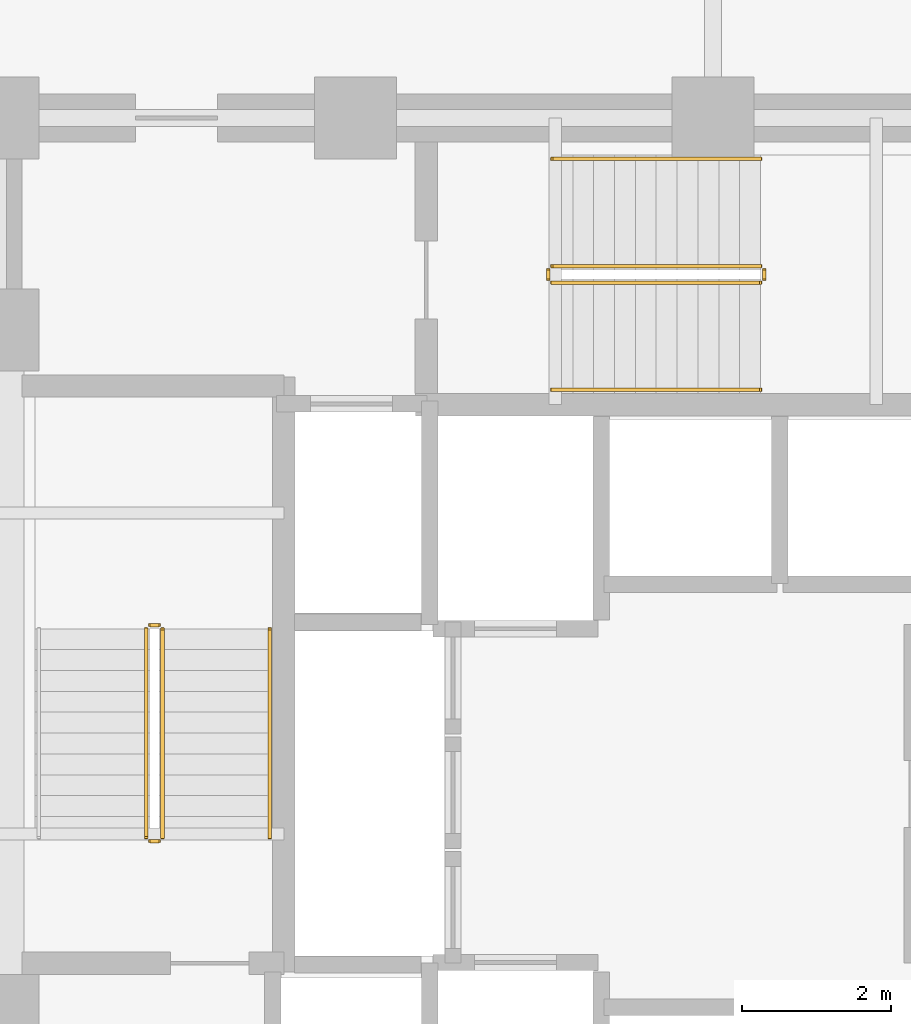
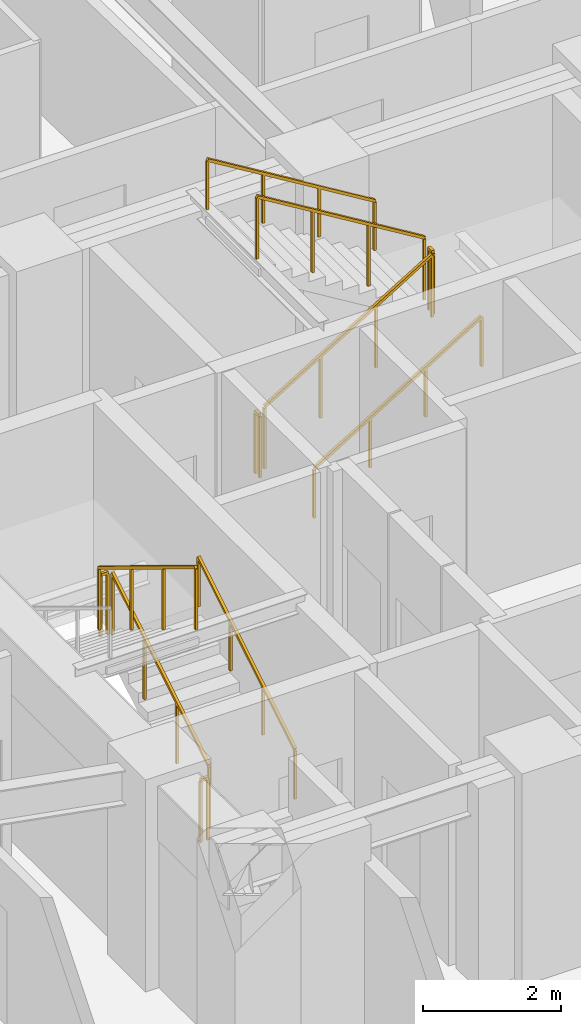
# One storey, part 13 of 16: 11 railings.
"""IFC4 building model written with IfcOpenShell, lengths in metres."""

import ifcopenshell
import ifcopenshell.guid

model = None  # the IFC model being written
_history = None  # IfcOwnerHistory: only IFC2X3 demands one
_inside = {}  # id of a spatial element -> (the spatial element, [elements in it])
_under = {}  # id of a project, library or spatial element -> (it, [spatial elements below it])
_declared = {}  # id of a project -> (the project, [libraries it declares])
_typed = {}  # id of a type object -> (the type object, [elements of that type])
_made_of = {}  # id of a material, layer set ... -> (it, [elements and type objects made of it])


def new_model(schema):
    """Start an empty IFC model of exactly this schema.

    Asked for "IFC4X3", IfcOpenShell would pick the latest addendum, in which some entities
    have other attributes; the version numbers below select the first issue.
    IFC2X3 requires an IfcOwnerHistory on every rooted entity: one is made here for all.
    """
    global model, _history
    if schema == "IFC4X3":
        model = ifcopenshell.file(schema_version=(4, 3, 0, 0))
    else:
        model = ifcopenshell.file(schema=schema)
    _inside.clear()
    _under.clear()
    _declared.clear()
    _typed.clear()
    _made_of.clear()
    _history = None
    if model.schema == "IFC2X3":
        org = make("IfcOrganization", Name="unknown")
        user = make(
            "IfcPersonAndOrganization",
            ThePerson=make("IfcPerson", FamilyName="unknown"),
            TheOrganization=org,
        )
        app = make(
            "IfcApplication",
            ApplicationDeveloper=org,
            Version="unknown",
            ApplicationFullName="unknown",
            ApplicationIdentifier="unknown",
        )
        _history = make(
            "IfcOwnerHistory",
            OwningUser=user,
            OwningApplication=app,
            ChangeAction="ADDED",
            CreationDate=0,
        )
    return model


def make(cls, **values):
    """One entity of the class cls with the attributes given. An attribute that is None is left unset."""
    return model.create_entity(
        cls, **{name: value for name, value in values.items() if value is not None}
    )


def rooted(cls, **values):
    """An entity with a GlobalId (a new one), such as an element, a storey or a relation."""
    return make(cls, GlobalId=ifcopenshell.guid.new(), OwnerHistory=_history, **values)


def si_unit(unit_type, name, prefix=None):
    """IfcSIUnit, for example si_unit("LENGTHUNIT", "METRE", prefix="MILLI")."""
    return make("IfcSIUnit", UnitType=unit_type, Prefix=prefix, Name=name)


def assignment(units):
    """IfcUnitAssignment: the units of a project."""
    return None if units is None else make("IfcUnitAssignment", Units=units)


def point(xyz):
    """IfcCartesianPoint."""
    return None if xyz is None else make("IfcCartesianPoint", Coordinates=xyz)


def direction(xyz):
    """IfcDirection."""
    return None if xyz is None else make("IfcDirection", DirectionRatios=xyz)


def frame(location, z_axis=None, x_axis=None):
    """IfcAxis2Placement3D, a coordinate frame: its origin and axes. An axis left out is left unset."""
    return make(
        "IfcAxis2Placement3D",
        Location=point(location),
        Axis=direction(z_axis),
        RefDirection=direction(x_axis),
    )


def frame_2d(location, x_axis=None):
    """IfcAxis2Placement2D, a coordinate frame in the plane: its origin and x axis."""
    return make(
        "IfcAxis2Placement2D", Location=point(location), RefDirection=direction(x_axis)
    )


def origin():
    """The frame at (0, 0, 0) with its axes left unset."""
    return frame((0.0, 0.0, 0.0))


def origin_2d():
    """The frame at (0, 0) in the plane with its x axis left unset."""
    return frame_2d((0.0, 0.0))


def place(relative_to, where):
    """IfcLocalPlacement: puts the frame where relative to a parent placement (None: the world)."""
    return make(
        "IfcLocalPlacement", PlacementRelTo=relative_to, RelativePlacement=where
    )


def context(
    kind, dimensions, precision=None, world=None, true_north=None, identifier=None
):
    """IfcGeometricRepresentationContext, for example the 3D "Model" context."""
    return make(
        "IfcGeometricRepresentationContext",
        ContextIdentifier=identifier,
        ContextType=kind,
        CoordinateSpaceDimension=dimensions,
        Precision=precision,
        WorldCoordinateSystem=world,
        TrueNorth=true_north,
    )


def subcontext(parent, identifier, kind, view, scale=None):
    """IfcGeometricRepresentationSubContext, for example "Body" below "Model"."""
    return make(
        "IfcGeometricRepresentationSubContext",
        ContextIdentifier=identifier,
        ContextType=kind,
        ParentContext=parent,
        TargetScale=scale,
        TargetView=view,
    )


def project(units=None, contexts=None):
    """IfcProject with its units and contexts."""
    return rooted(
        "IfcProject",
        Name="project",
        RepresentationContexts=contexts,
        UnitsInContext=assignment(units),
    )


def spatial(cls, under=None, at=None, **own):
    """A site, building, storey or space (cls), placed at a placement, below another one or the project."""
    s = rooted(cls, ObjectPlacement=at, **own)
    if under is not None:
        _under.setdefault(under.id(), (under, []))[1].append(s)
    return s


def profile(cls, at=None, kind="AREA", **sizes):
    """A parametric profile (cls). Its sizes go by their IFC names, for example OverallWidth=200.0."""
    return make(cls, ProfileType=kind, Position=at, **sizes)


def rectangle(**sizes):
    """IfcRectangleProfileDef."""
    return profile("IfcRectangleProfileDef", **sizes)


def extrude(swept, where, along, depth):
    """IfcExtrudedAreaSolid: the profile swept, set in the frame where, extruded along a direction by depth."""
    return make(
        "IfcExtrudedAreaSolid",
        SweptArea=swept,
        Position=where,
        ExtrudedDirection=direction(along),
        Depth=depth,
    )


def shape(context_of_items, identifier, shape_type, items):
    """IfcShapeRepresentation: the items that make up one representation, for example the "Body"."""
    return make(
        "IfcShapeRepresentation",
        ContextOfItems=context_of_items,
        RepresentationIdentifier=identifier,
        RepresentationType=shape_type,
        Items=items,
    )


def material(Name=None, Category=None):
    """IfcMaterial."""
    return make("IfcMaterial", Name=Name, Category=Category)


def made_of(thing, what):
    """Note that an element or type object is made of a material, layer set ...; save() writes the relation."""
    if what is not None:
        _made_of.setdefault(what.id(), (what, []))[1].append(thing)
    return thing


def type_object(cls, material=None, **own):
    """A type object (cls), such as IfcWallType, which elements share."""
    return made_of(rooted(cls, **own), material)


def element(
    cls,
    number,
    at=None,
    inside=None,
    cuts=None,
    type_object=None,
    material=None,
    context=None,
    identifier="Body",
    shape_type=None,
    held_by="IfcProductDefinitionShape",
    body=None,
    shapes=None,
    **own,
):
    """One element of the class cls, such as IfcWall. Its Tag is "e" and its number.

    at: its placement. inside: the storey or other place that contains it. cuts: it is an
    opening in that element (IfcRelVoidsElement). A single representation is given by context,
    identifier, shape_type and body (its items); several are given by shapes. held_by: the class
    of the entity that holds the representations. save() writes the other relations.
    """
    e = rooted(cls, Tag="e%d" % number, ObjectPlacement=at, **own)
    if body is not None:
        shapes = [shape(context, identifier, shape_type, body)]
    if shapes is not None:
        e.Representation = make(held_by, Representations=shapes)
    if inside is not None:
        _inside.setdefault(inside.id(), (inside, []))[1].append(e)
    if cuts is not None:
        rooted(
            "IfcRelVoidsElement", RelatingBuildingElement=cuts, RelatedOpeningElement=e
        )
    if type_object is not None:
        _typed.setdefault(type_object.id(), (type_object, []))[1].append(e)
    return made_of(e, material)


def aggregate(whole, parts):
    """IfcRelAggregates: a whole, such as a stair, and the parts it consists of."""
    return rooted("IfcRelAggregates", RelatingObject=whole, RelatedObjects=parts)


def save(model, path):
    """Write the relations noted so far, then the file.

    IfcRelAggregates (storeys below a building ...), IfcRelContainedInSpatialStructure (elements
    in a storey), IfcRelDefinesByType, IfcRelAssociatesMaterial and IfcRelDeclares: one each for
    every whole, place, type object, material and project.
    """
    for whole, parts in _under.values():
        aggregate(whole, parts)
    for where, things in _inside.values():
        rooted(
            "IfcRelContainedInSpatialStructure",
            RelatedElements=things,
            RelatingStructure=where,
        )
    for kind, things in _typed.values():
        rooted("IfcRelDefinesByType", RelatedObjects=things, RelatingType=kind)
    for what, things in _made_of.values():
        rooted("IfcRelAssociatesMaterial", RelatedObjects=things, RelatingMaterial=what)
    for by, libraries in _declared.values():
        rooted("IfcRelDeclares", RelatingContext=by, RelatedDefinitions=libraries)
    model.write(path)


model = new_model("IFC4")

# Units and contexts
model_context = context("Model", 3, precision=1e-05, world=origin(), true_north=direction((0.0, 1.0)))
body_context = subcontext(model_context, "Body", "Model", "MODEL_VIEW")
ifc_project = project(units=[si_unit("LENGTHUNIT", "METRE"), si_unit("AREAUNIT", "SQUARE_METRE"), si_unit("VOLUMEUNIT", "CUBIC_METRE"), si_unit("PLANEANGLEUNIT", "RADIAN"), si_unit("MASSUNIT", "GRAM", prefix="KILO")], contexts=[model_context])

# Site, building, storey
site_placement = place(None, origin())
site = spatial("IfcSite", under=ifc_project, at=site_placement, CompositionType="ELEMENT")
building_placement = place(site_placement, origin())
building = spatial("IfcBuilding", under=site, at=building_placement, Name="Vantalir Tower", CompositionType="ELEMENT")
storey_placement = place(building_placement, frame((0.0, 0.0, 75.75)))
storey = spatial("IfcBuildingStorey", under=building, at=storey_placement, Name="L18", CompositionType="ELEMENT", Elevation=75.75)

# Railings
ifc_material_1 = material(Name="Anodised aluminium and stainless steel guard", Category="steel")
railing_type_1 = type_object("IfcRailingType", Name="RAL-GUARD-1120", PredefinedType="GUARDRAIL", material=ifc_material_1)
railing_1_placement = place(storey_placement, frame((24.110107421875, 22.7900390625, 0.17041015625)))
element("IfcRailing", 1, at=railing_1_placement, inside=storey, type_object=railing_type_1, Name="L18 ST1 stair guard 1", PredefinedType="GUARDRAIL", context=body_context, shape_type="SweptSolid", body=[
    extrude(rectangle(XDim=0.048095703125, YDim=0.048095703125, at=origin_2d()), frame((0.0, 0.0, 1.09619140625), z_axis=(0.0, 0.854169791009, 0.51999420009), x_axis=(-1.0, 0.0, 0.0)), (0.0, 0.0, 1.0), 3.278076171875),
    extrude(rectangle(XDim=0.0419921875, YDim=0.0419921875, at=origin_2d()), origin(), (0.0, 0.0, 1.0), 1.072021484375),
    extrude(rectangle(XDim=0.0419921875, YDim=0.0419921875, at=origin_2d()), frame((0.0, 0.933349609375, 0.568115234375)), (0.0, 0.0, 1.0), 1.072021484375),
    extrude(rectangle(XDim=0.0419921875, YDim=0.0419921875, at=origin_2d()), frame((0.0, 1.86669921875, 1.136474609375)), (0.0, 0.0, 1.0), 1.072021484375),
    extrude(rectangle(XDim=0.0419921875, YDim=0.0419921875, at=origin_2d()), frame((0.0, 2.800048828125, 1.70458984375)), (0.0, 0.0, 1.0), 1.072021484375),
])
railing_2_placement = place(storey_placement, frame((24.06005859375, 25.639892578125, 1.875)))
element("IfcRailing", 2, at=railing_2_placement, inside=storey, type_object=railing_type_1, Name="L18 ST1 stair guard 2", PredefinedType="GUARDRAIL", context=body_context, shape_type="SweptSolid", body=[
    extrude(rectangle(XDim=0.048095703125, YDim=0.048095703125, at=origin_2d()), frame((0.0, 0.0, 1.09619140625), z_axis=(-1.0, 0.0, 0.0), x_axis=(0.0, -1.0, 0.0)), (0.0, 0.0, 1.0), 0.1201171875),
    extrude(rectangle(XDim=0.0419921875, YDim=0.0419921875, at=origin_2d()), origin(), (0.0, 0.0, 1.0), 1.072021484375),
    extrude(rectangle(XDim=0.0419921875, YDim=0.0419921875, at=origin_2d()), frame((-0.1201171875, 0.0, 0.0)), (0.0, 0.0, 1.0), 1.072021484375),
])
railing_3_placement = place(storey_placement, frame((23.889892578125, 25.590087890625, 2.04541015625)))
element("IfcRailing", 3, at=railing_3_placement, inside=storey, type_object=railing_type_1, Name="L18 ST1 stair guard 3", PredefinedType="GUARDRAIL", context=body_context, shape_type="SweptSolid", body=[
    extrude(rectangle(XDim=0.048095703125, YDim=0.048095703125, at=origin_2d()), frame((0.0, 0.0, 1.09619140625), z_axis=(0.0, -0.854169791009, 0.51999420009), x_axis=(1.0, 0.0, 0.0)), (0.0, 0.0, 1.0), 3.278076171875),
    extrude(rectangle(XDim=0.0419921875, YDim=0.0419921875, at=origin_2d()), origin(), (0.0, 0.0, 1.0), 1.072021484375),
    extrude(rectangle(XDim=0.0419921875, YDim=0.0419921875, at=origin_2d()), frame((0.0, -0.933349609375, 0.568115234375)), (0.0, 0.0, 1.0), 1.072021484375),
    extrude(rectangle(XDim=0.0419921875, YDim=0.0419921875, at=origin_2d()), frame((0.0, -1.86669921875, 1.136474609375)), (0.0, 0.0, 1.0), 1.072021484375),
    extrude(rectangle(XDim=0.0419921875, YDim=0.0419921875, at=origin_2d()), frame((0.0, -2.800048828125, 1.70458984375)), (0.0, 0.0, 1.0), 1.072021484375),
])
railing_4_placement = place(storey_placement, frame((24.06005859375, 22.739990234375, 0.0)))
element("IfcRailing", 4, at=railing_4_placement, inside=storey, type_object=railing_type_1, Name="L18 ST1 stair guard 4", PredefinedType="GUARDRAIL", context=body_context, shape_type="SweptSolid", body=[
    extrude(rectangle(XDim=0.048095703125, YDim=0.048095703125, at=origin_2d()), frame((0.0, 0.0, 1.09619140625), z_axis=(-1.0, 0.0, 0.0), x_axis=(0.0, -1.0, 0.0)), (0.0, 0.0, 1.0), 0.1201171875),
    extrude(rectangle(XDim=0.0419921875, YDim=0.0419921875, at=origin_2d()), origin(), (0.0, 0.0, 1.0), 1.072021484375),
    extrude(rectangle(XDim=0.0419921875, YDim=0.0419921875, at=origin_2d()), frame((-0.1201171875, 0.0, 0.0)), (0.0, 0.0, 1.0), 1.072021484375),
])
railing_5_placement = place(storey_placement, frame((29.340087890625, 30.239990234375, 0.17041015625)))
element("IfcRailing", 5, at=railing_5_placement, inside=storey, type_object=railing_type_1, Name="L18 ST3 stair guard 1", PredefinedType="GUARDRAIL", context=body_context, shape_type="SweptSolid", body=[
    extrude(rectangle(XDim=0.048095703125, YDim=0.048095703125, at=origin_2d()), frame((0.0, 0.0, 1.09619140625), z_axis=(0.854149651119, 0.0, 0.520027281489), x_axis=(0.0, 1.0, 0.0)), (0.0, 0.0, 1.0), 3.27783203125),
    extrude(rectangle(XDim=0.0419921875, YDim=0.0419921875, at=origin_2d()), origin(), (0.0, 0.0, 1.0), 1.072021484375),
    extrude(rectangle(XDim=0.0419921875, YDim=0.0419921875, at=origin_2d()), frame((0.933349609375, 0.0, 0.568115234375)), (0.0, 0.0, 1.0), 1.072021484375),
    extrude(rectangle(XDim=0.0419921875, YDim=0.0419921875, at=origin_2d()), frame((1.866455078125, 0.0, 1.136474609375)), (0.0, 0.0, 1.0), 1.072021484375),
    extrude(rectangle(XDim=0.0419921875, YDim=0.0419921875, at=origin_2d()), frame((2.7998046875, 0.0, 1.70458984375)), (0.0, 0.0, 1.0), 1.072021484375),
])
railing_6_placement = place(storey_placement, frame((32.18994140625, 30.2900390625, 1.875)))
element("IfcRailing", 6, at=railing_6_placement, inside=storey, type_object=railing_type_1, Name="L18 ST3 stair guard 2", PredefinedType="GUARDRAIL", context=body_context, shape_type="SweptSolid", body=[
    extrude(rectangle(XDim=0.048095703125, YDim=0.048095703125, at=origin_2d()), frame((0.0, 0.0, 1.09619140625), z_axis=(0.0, 1.0, 0.0), x_axis=(-1.0, 0.0, 0.0)), (0.0, 0.0, 1.0), 0.119873046875),
    extrude(rectangle(XDim=0.0419921875, YDim=0.0419921875, at=origin_2d()), origin(), (0.0, 0.0, 1.0), 1.072021484375),
    extrude(rectangle(XDim=0.0419921875, YDim=0.0419921875, at=origin_2d()), frame((0.0, 0.119873046875, 0.0)), (0.0, 0.0, 1.0), 1.072021484375),
])
railing_7_placement = place(storey_placement, frame((32.139892578125, 30.4599609375, 2.04541015625)))
element("IfcRailing", 7, at=railing_7_placement, inside=storey, type_object=railing_type_1, Name="L18 ST3 stair guard 3", PredefinedType="GUARDRAIL", context=body_context, shape_type="SweptSolid", body=[
    extrude(rectangle(XDim=0.048095703125, YDim=0.048095703125, at=origin_2d()), frame((0.0, 0.0, 1.09619140625), z_axis=(-0.854149651119, 0.0, 0.520027281489), x_axis=(0.0, -1.0, 0.0)), (0.0, 0.0, 1.0), 3.27783203125),
    extrude(rectangle(XDim=0.0419921875, YDim=0.0419921875, at=origin_2d()), origin(), (0.0, 0.0, 1.0), 1.072021484375),
    extrude(rectangle(XDim=0.0419921875, YDim=0.0419921875, at=origin_2d()), frame((-0.933349609375, 0.0, 0.568115234375)), (0.0, 0.0, 1.0), 1.072021484375),
    extrude(rectangle(XDim=0.0419921875, YDim=0.0419921875, at=origin_2d()), frame((-1.866455078125, 0.0, 1.136474609375)), (0.0, 0.0, 1.0), 1.072021484375),
    extrude(rectangle(XDim=0.0419921875, YDim=0.0419921875, at=origin_2d()), frame((-2.7998046875, 0.0, 1.70458984375)), (0.0, 0.0, 1.0), 1.072021484375),
])
railing_8_placement = place(storey_placement, frame((29.2900390625, 30.2900390625, 0.0)))
element("IfcRailing", 8, at=railing_8_placement, inside=storey, type_object=railing_type_1, Name="L18 ST3 stair guard 4", PredefinedType="GUARDRAIL", context=body_context, shape_type="SweptSolid", body=[
    extrude(rectangle(XDim=0.048095703125, YDim=0.048095703125, at=origin_2d()), frame((0.0, 0.0, 1.09619140625), z_axis=(0.0, 1.0, 0.0), x_axis=(-1.0, 0.0, 0.0)), (0.0, 0.0, 1.0), 0.119873046875),
    extrude(rectangle(XDim=0.0419921875, YDim=0.0419921875, at=origin_2d()), origin(), (0.0, 0.0, 1.0), 1.072021484375),
    extrude(rectangle(XDim=0.0419921875, YDim=0.0419921875, at=origin_2d()), frame((0.0, 0.119873046875, 0.0)), (0.0, 0.0, 1.0), 1.072021484375),
])
ifc_material_2 = material(Name="Brushed stainless steel tubular handrail", Category="steel")
railing_type_2 = type_object("IfcRailingType", Name="RAL-HANDRAIL-900", PredefinedType="HANDRAIL", material=ifc_material_2)
railing_9_placement = place(storey_placement, frame((25.550048828125, 22.7900390625, 0.17041015625)))
element("IfcRailing", 9, at=railing_9_placement, inside=storey, type_object=railing_type_2, Name="L18 ST1 stair handrail 1", PredefinedType="HANDRAIL", context=body_context, shape_type="SweptSolid", body=[
    extrude(rectangle(XDim=0.048095703125, YDim=0.048095703125, at=origin_2d()), frame((0.0, 0.0, 0.8759765625), z_axis=(0.0, 0.854169791009, 0.51999420009), x_axis=(-1.0, 0.0, 0.0)), (0.0, 0.0, 1.0), 3.278076171875),
    extrude(rectangle(XDim=0.0419921875, YDim=0.0419921875, at=origin_2d()), origin(), (0.0, 0.0, 1.0), 0.851806640625),
    extrude(rectangle(XDim=0.0419921875, YDim=0.0419921875, at=origin_2d()), frame((0.0, 0.933349609375, 0.568115234375)), (0.0, 0.0, 1.0), 0.851806640625),
    extrude(rectangle(XDim=0.0419921875, YDim=0.0419921875, at=origin_2d()), frame((0.0, 1.86669921875, 1.136474609375)), (0.0, 0.0, 1.0), 0.851806640625),
    extrude(rectangle(XDim=0.0419921875, YDim=0.0419921875, at=origin_2d()), frame((0.0, 2.800048828125, 1.70458984375)), (0.0, 0.0, 1.0), 0.851806640625),
])
railing_10_placement = place(storey_placement, frame((29.340087890625, 28.800048828125, 0.17041015625)))
element("IfcRailing", 10, at=railing_10_placement, inside=storey, type_object=railing_type_2, Name="L18 ST3 stair handrail 1", PredefinedType="HANDRAIL", context=body_context, shape_type="SweptSolid", body=[
    extrude(rectangle(XDim=0.048095703125, YDim=0.048095703125, at=origin_2d()), frame((0.0, 0.0, 0.8759765625), z_axis=(0.854149651119, 0.0, 0.520027281489), x_axis=(0.0, 1.0, 0.0)), (0.0, 0.0, 1.0), 3.27783203125),
    extrude(rectangle(XDim=0.0419921875, YDim=0.0419921875, at=origin_2d()), origin(), (0.0, 0.0, 1.0), 0.851806640625),
    extrude(rectangle(XDim=0.0419921875, YDim=0.0419921875, at=origin_2d()), frame((0.933349609375, 0.0, 0.568115234375)), (0.0, 0.0, 1.0), 0.851806640625),
    extrude(rectangle(XDim=0.0419921875, YDim=0.0419921875, at=origin_2d()), frame((1.866455078125, 0.0, 1.136474609375)), (0.0, 0.0, 1.0), 0.851806640625),
    extrude(rectangle(XDim=0.0419921875, YDim=0.0419921875, at=origin_2d()), frame((2.7998046875, 0.0, 1.70458984375)), (0.0, 0.0, 1.0), 0.851806640625),
])
railing_11_placement = place(storey_placement, frame((32.139892578125, 31.89990234375, 2.04541015625)))
element("IfcRailing", 11, at=railing_11_placement, inside=storey, type_object=railing_type_2, Name="L18 ST3 stair handrail 2", PredefinedType="HANDRAIL", context=body_context, shape_type="SweptSolid", body=[
    extrude(rectangle(XDim=0.048095703125, YDim=0.048095703125, at=origin_2d()), frame((0.0, 0.0, 0.8759765625), z_axis=(-0.854149651119, 0.0, 0.520027281489), x_axis=(0.0, -1.0, 0.0)), (0.0, 0.0, 1.0), 3.27783203125),
    extrude(rectangle(XDim=0.0419921875, YDim=0.0419921875, at=origin_2d()), origin(), (0.0, 0.0, 1.0), 0.851806640625),
    extrude(rectangle(XDim=0.0419921875, YDim=0.0419921875, at=origin_2d()), frame((-0.933349609375, 0.0, 0.568115234375)), (0.0, 0.0, 1.0), 0.851806640625),
    extrude(rectangle(XDim=0.0419921875, YDim=0.0419921875, at=origin_2d()), frame((-1.866455078125, 0.0, 1.136474609375)), (0.0, 0.0, 1.0), 0.851806640625),
    extrude(rectangle(XDim=0.0419921875, YDim=0.0419921875, at=origin_2d()), frame((-2.7998046875, 0.0, 1.70458984375)), (0.0, 0.0, 1.0), 0.851806640625),
])

save(model, "model.ifc")
